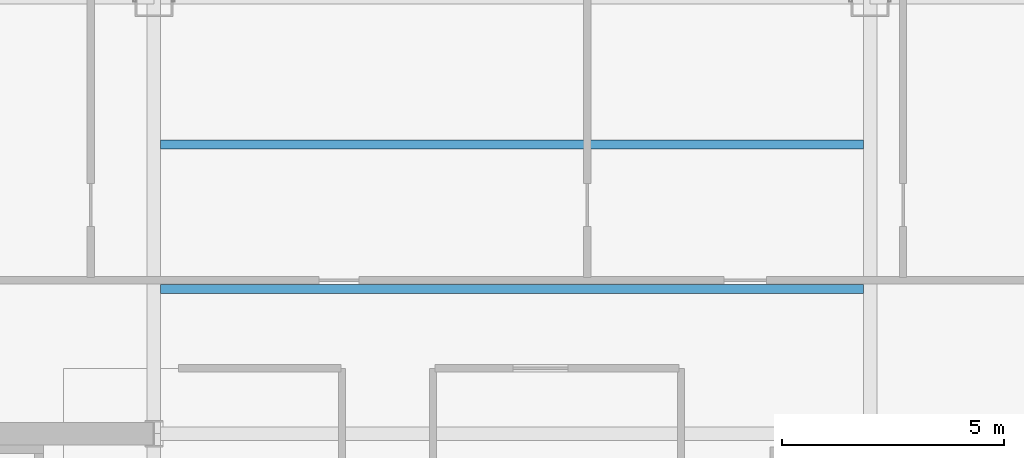
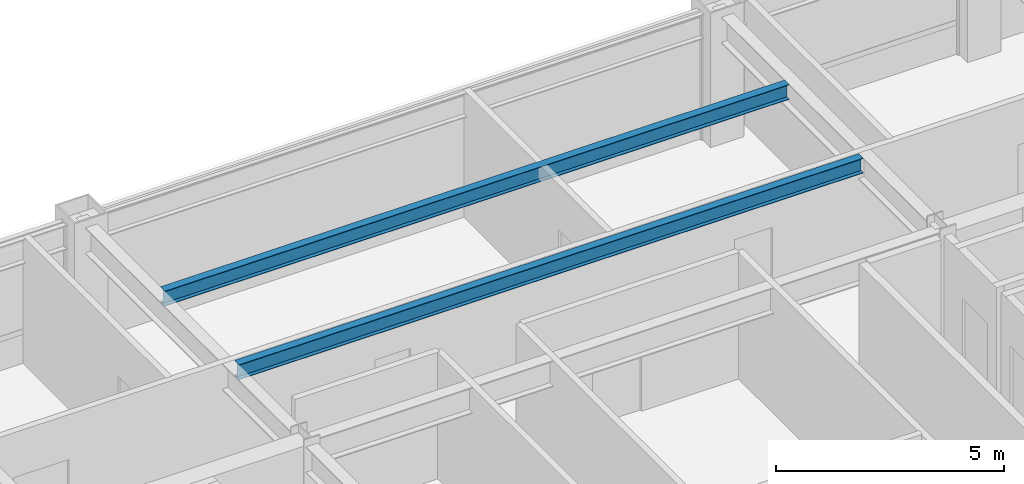
# One storey, part 20 of 31: 2 beams.
"""IFC4 building model written with IfcOpenShell, lengths in metres."""

import ifcopenshell
import ifcopenshell.guid

model = None  # the IFC model being written
_history = None  # IfcOwnerHistory: only IFC2X3 demands one
_inside = {}  # id of a spatial element -> (the spatial element, [elements in it])
_under = {}  # id of a project, library or spatial element -> (it, [spatial elements below it])
_declared = {}  # id of a project -> (the project, [libraries it declares])
_typed = {}  # id of a type object -> (the type object, [elements of that type])
_made_of = {}  # id of a material, layer set ... -> (it, [elements and type objects made of it])


def new_model(schema):
    """Start an empty IFC model of exactly this schema.

    Asked for "IFC4X3", IfcOpenShell would pick the latest addendum, in which some entities
    have other attributes; the version numbers below select the first issue.
    IFC2X3 requires an IfcOwnerHistory on every rooted entity: one is made here for all.
    """
    global model, _history
    if schema == "IFC4X3":
        model = ifcopenshell.file(schema_version=(4, 3, 0, 0))
    else:
        model = ifcopenshell.file(schema=schema)
    _inside.clear()
    _under.clear()
    _declared.clear()
    _typed.clear()
    _made_of.clear()
    _history = None
    if model.schema == "IFC2X3":
        org = make("IfcOrganization", Name="unknown")
        user = make(
            "IfcPersonAndOrganization",
            ThePerson=make("IfcPerson", FamilyName="unknown"),
            TheOrganization=org,
        )
        app = make(
            "IfcApplication",
            ApplicationDeveloper=org,
            Version="unknown",
            ApplicationFullName="unknown",
            ApplicationIdentifier="unknown",
        )
        _history = make(
            "IfcOwnerHistory",
            OwningUser=user,
            OwningApplication=app,
            ChangeAction="ADDED",
            CreationDate=0,
        )
    return model


def make(cls, **values):
    """One entity of the class cls with the attributes given. An attribute that is None is left unset."""
    return model.create_entity(
        cls, **{name: value for name, value in values.items() if value is not None}
    )


def rooted(cls, **values):
    """An entity with a GlobalId (a new one), such as an element, a storey or a relation."""
    return make(cls, GlobalId=ifcopenshell.guid.new(), OwnerHistory=_history, **values)


def si_unit(unit_type, name, prefix=None):
    """IfcSIUnit, for example si_unit("LENGTHUNIT", "METRE", prefix="MILLI")."""
    return make("IfcSIUnit", UnitType=unit_type, Prefix=prefix, Name=name)


def assignment(units):
    """IfcUnitAssignment: the units of a project."""
    return None if units is None else make("IfcUnitAssignment", Units=units)


def point(xyz):
    """IfcCartesianPoint."""
    return None if xyz is None else make("IfcCartesianPoint", Coordinates=xyz)


def direction(xyz):
    """IfcDirection."""
    return None if xyz is None else make("IfcDirection", DirectionRatios=xyz)


def frame(location, z_axis=None, x_axis=None):
    """IfcAxis2Placement3D, a coordinate frame: its origin and axes. An axis left out is left unset."""
    return make(
        "IfcAxis2Placement3D",
        Location=point(location),
        Axis=direction(z_axis),
        RefDirection=direction(x_axis),
    )


def frame_2d(location, x_axis=None):
    """IfcAxis2Placement2D, a coordinate frame in the plane: its origin and x axis."""
    return make(
        "IfcAxis2Placement2D", Location=point(location), RefDirection=direction(x_axis)
    )


def origin():
    """The frame at (0, 0, 0) with its axes left unset."""
    return frame((0.0, 0.0, 0.0))


def origin_2d():
    """The frame at (0, 0) in the plane with its x axis left unset."""
    return frame_2d((0.0, 0.0))


def place(relative_to, where):
    """IfcLocalPlacement: puts the frame where relative to a parent placement (None: the world)."""
    return make(
        "IfcLocalPlacement", PlacementRelTo=relative_to, RelativePlacement=where
    )


def context(
    kind, dimensions, precision=None, world=None, true_north=None, identifier=None
):
    """IfcGeometricRepresentationContext, for example the 3D "Model" context."""
    return make(
        "IfcGeometricRepresentationContext",
        ContextIdentifier=identifier,
        ContextType=kind,
        CoordinateSpaceDimension=dimensions,
        Precision=precision,
        WorldCoordinateSystem=world,
        TrueNorth=true_north,
    )


def subcontext(parent, identifier, kind, view, scale=None):
    """IfcGeometricRepresentationSubContext, for example "Body" below "Model"."""
    return make(
        "IfcGeometricRepresentationSubContext",
        ContextIdentifier=identifier,
        ContextType=kind,
        ParentContext=parent,
        TargetScale=scale,
        TargetView=view,
    )


def project(units=None, contexts=None):
    """IfcProject with its units and contexts."""
    return rooted(
        "IfcProject",
        Name="project",
        RepresentationContexts=contexts,
        UnitsInContext=assignment(units),
    )


def spatial(cls, under=None, at=None, **own):
    """A site, building, storey or space (cls), placed at a placement, below another one or the project."""
    s = rooted(cls, ObjectPlacement=at, **own)
    if under is not None:
        _under.setdefault(under.id(), (under, []))[1].append(s)
    return s


def profile(cls, at=None, kind="AREA", **sizes):
    """A parametric profile (cls). Its sizes go by their IFC names, for example OverallWidth=200.0."""
    return make(cls, ProfileType=kind, Position=at, **sizes)


def i_section(**sizes):
    """IfcIShapeProfileDef."""
    return profile("IfcIShapeProfileDef", **sizes)


def extrude(swept, where, along, depth):
    """IfcExtrudedAreaSolid: the profile swept, set in the frame where, extruded along a direction by depth."""
    return make(
        "IfcExtrudedAreaSolid",
        SweptArea=swept,
        Position=where,
        ExtrudedDirection=direction(along),
        Depth=depth,
    )


def shape(context_of_items, identifier, shape_type, items):
    """IfcShapeRepresentation: the items that make up one representation, for example the "Body"."""
    return make(
        "IfcShapeRepresentation",
        ContextOfItems=context_of_items,
        RepresentationIdentifier=identifier,
        RepresentationType=shape_type,
        Items=items,
    )


def material(Name=None, Category=None):
    """IfcMaterial."""
    return make("IfcMaterial", Name=Name, Category=Category)


def material_profile(
    of_material, cross_section, Name=None, Category=None, Priority=None
):
    """IfcMaterialProfile: a cross section and its material."""
    return make(
        "IfcMaterialProfile",
        Name=Name,
        Material=of_material,
        Profile=cross_section,
        Priority=Priority,
        Category=Category,
    )


def profile_set(profiles, Name=None, composite=None):
    """IfcMaterialProfileSet."""
    return make(
        "IfcMaterialProfileSet",
        Name=Name,
        MaterialProfiles=profiles,
        CompositeProfile=composite,
    )


def made_of(thing, what):
    """Note that an element or type object is made of a material, layer set ...; save() writes the relation."""
    if what is not None:
        _made_of.setdefault(what.id(), (what, []))[1].append(thing)
    return thing


def type_object(cls, material=None, **own):
    """A type object (cls), such as IfcWallType, which elements share."""
    return made_of(rooted(cls, **own), material)


def element(
    cls,
    number,
    at=None,
    inside=None,
    cuts=None,
    type_object=None,
    material=None,
    context=None,
    identifier="Body",
    shape_type=None,
    held_by="IfcProductDefinitionShape",
    body=None,
    shapes=None,
    **own,
):
    """One element of the class cls, such as IfcWall. Its Tag is "e" and its number.

    at: its placement. inside: the storey or other place that contains it. cuts: it is an
    opening in that element (IfcRelVoidsElement). A single representation is given by context,
    identifier, shape_type and body (its items); several are given by shapes. held_by: the class
    of the entity that holds the representations. save() writes the other relations.
    """
    e = rooted(cls, Tag="e%d" % number, ObjectPlacement=at, **own)
    if body is not None:
        shapes = [shape(context, identifier, shape_type, body)]
    if shapes is not None:
        e.Representation = make(held_by, Representations=shapes)
    if inside is not None:
        _inside.setdefault(inside.id(), (inside, []))[1].append(e)
    if cuts is not None:
        rooted(
            "IfcRelVoidsElement", RelatingBuildingElement=cuts, RelatedOpeningElement=e
        )
    if type_object is not None:
        _typed.setdefault(type_object.id(), (type_object, []))[1].append(e)
    return made_of(e, material)


def aggregate(whole, parts):
    """IfcRelAggregates: a whole, such as a stair, and the parts it consists of."""
    return rooted("IfcRelAggregates", RelatingObject=whole, RelatedObjects=parts)


def save(model, path):
    """Write the relations noted so far, then the file.

    IfcRelAggregates (storeys below a building ...), IfcRelContainedInSpatialStructure (elements
    in a storey), IfcRelDefinesByType, IfcRelAssociatesMaterial and IfcRelDeclares: one each for
    every whole, place, type object, material and project.
    """
    for whole, parts in _under.values():
        aggregate(whole, parts)
    for where, things in _inside.values():
        rooted(
            "IfcRelContainedInSpatialStructure",
            RelatedElements=things,
            RelatingStructure=where,
        )
    for kind, things in _typed.values():
        rooted("IfcRelDefinesByType", RelatedObjects=things, RelatingType=kind)
    for what, things in _made_of.values():
        rooted("IfcRelAssociatesMaterial", RelatedObjects=things, RelatingMaterial=what)
    for by, libraries in _declared.values():
        rooted("IfcRelDeclares", RelatingContext=by, RelatedDefinitions=libraries)
    model.write(path)


model = new_model("IFC4")

# Units and contexts
model_context = context("Model", 3, precision=1e-05, world=origin(), true_north=direction((0.0, 1.0)))
body_context = subcontext(model_context, "Body", "Model", "MODEL_VIEW")
ifc_project = project(units=[si_unit("LENGTHUNIT", "METRE"), si_unit("AREAUNIT", "SQUARE_METRE"), si_unit("VOLUMEUNIT", "CUBIC_METRE"), si_unit("PLANEANGLEUNIT", "RADIAN"), si_unit("MASSUNIT", "GRAM", prefix="KILO")], contexts=[model_context])

# Site, building, storey
site_placement = place(None, origin())
site = spatial("IfcSite", under=ifc_project, at=site_placement, CompositionType="ELEMENT")
building_placement = place(site_placement, origin())
building = spatial("IfcBuilding", under=site, at=building_placement, Name="Brelmoor Portico Tower", CompositionType="ELEMENT")
storey_placement = place(building_placement, frame((0.0, 0.0, 106.199951171875)))
storey = spatial("IfcBuildingStorey", under=building, at=storey_placement, Name="L27", CompositionType="ELEMENT", Elevation=106.199951171875)

# Beams
ifc_material = material(Name="Steel Q355B", Category="steel")
ifc_material_profile = material_profile(ifc_material, i_section(OverallWidth=0.199951171875, OverallDepth=0.39990234375, WebThickness=0.008056640625, FlangeThickness=0.012939453125, at=origin_2d()), Name="HN 400x200x8x13")
ifc_profile_set = profile_set([ifc_material_profile], Name="Steel Q355B")
beam_type = type_object("IfcBeamType", Name="BM-JS-400", PredefinedType="JOIST", material=ifc_profile_set)
for number, where, z_axis, x_axis, name in (
    (1, (-7.89990234375, 13.0, 3.199951171875), (1.0, 0.0, 0.0), (0.0, 1.0, 0.0), "L27 Secondary Composite Joist JS-C03"),
    (2, (-7.89990234375, 16.25, 3.199951171875), (1.0, 0.0, 0.0), (0.0, 1.0, 0.0), "L27 Secondary Composite Joist JS-C04"),
):
    element("IfcBeam", number, at=place(storey_placement, frame(where, z_axis=z_axis, x_axis=x_axis)), inside=storey, type_object=beam_type, Name=name, PredefinedType="JOIST", context=body_context, shape_type="SweptSolid", body=[
        extrude(i_section(OverallWidth=0.199951171875, OverallDepth=0.39990234375, WebThickness=0.008056640625, FlangeThickness=0.012939453125, at=origin_2d()), origin(), (0.0, 0.0, 1.0), 15.7998046875),
    ])

save(model, "model.ifc")
